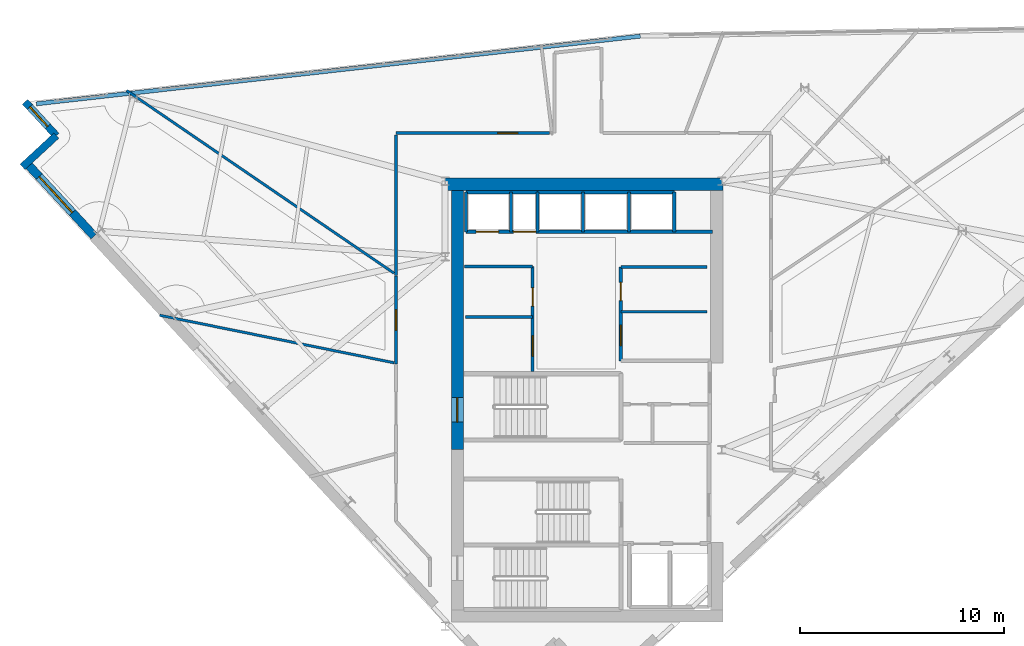
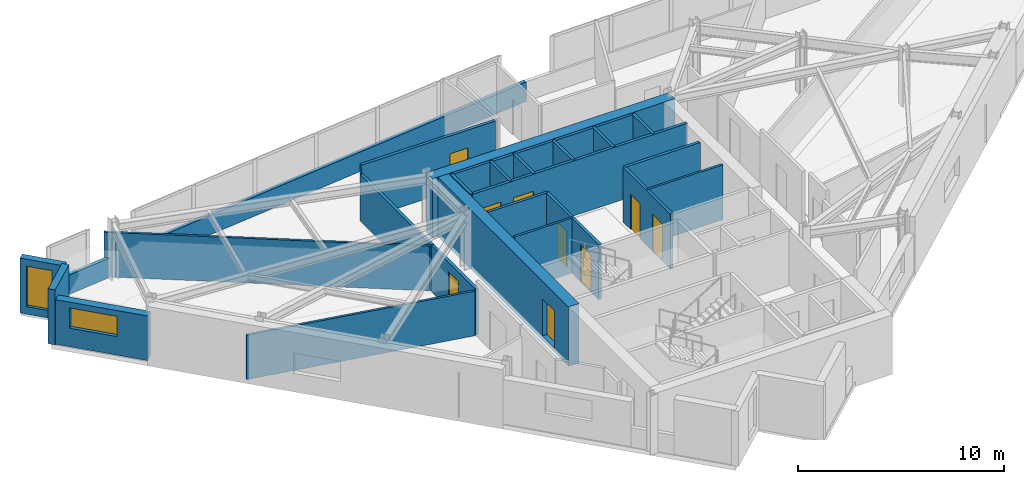
# One storey, part 10 of 14: 26 walls, 9 doors, 2 windows, 11 openings.
"""IFC4 building model written with IfcOpenShell, lengths in metres."""

from ifc_helpers import new_model, si_unit, direction, frame, frame_2d, origin, place, context, subcontext, project, spatial, rectangle, extrude, material, layer, layer_set, type_object, element, fill, save


model = new_model("IFC4")

# Units and contexts
model_context = context("Model", 3, precision=1e-05, world=origin(), true_north=direction((0.0, 1.0)))
body_context = subcontext(model_context, "Body", "Model", "MODEL_VIEW")
ifc_project = project(units=[si_unit("LENGTHUNIT", "METRE"), si_unit("AREAUNIT", "SQUARE_METRE"), si_unit("VOLUMEUNIT", "CUBIC_METRE"), si_unit("PLANEANGLEUNIT", "RADIAN"), si_unit("MASSUNIT", "GRAM", prefix="KILO")], contexts=[model_context])

# Site, building, storey
site_placement = place(None, origin())
site = spatial("IfcSite", under=ifc_project, at=site_placement, CompositionType="ELEMENT")
building_placement = place(site_placement, origin())
building = spatial("IfcBuilding", under=site, at=building_placement, Name="Narakoshi Arena Tower", CompositionType="ELEMENT")
storey_placement = place(building_placement, frame((0.0, 0.0, 288.89990234375)))
storey = spatial("IfcBuildingStorey", under=building, at=storey_placement, Name="L79", CompositionType="ELEMENT", Elevation=288.89990234375)

# Wall, opening, door
ifc_material_1 = material(Name="Concrete C50/60", Category="concrete")
ifc_layer_1 = layer(ifc_material_1, 0.60009765625)
ifc_layer_set_1 = layer_set([ifc_layer_1], Name="Concrete C50/60")
wall_type_1 = type_object("IfcWallType", Name="WL-CORE-600", PredefinedType="SHEAR", material=ifc_layer_set_1)
wall_1_placement = place(storey_placement, frame((72.60009765625, 43.35009765625, -0.260009765625), z_axis=(0.0, 0.0, 1.0), x_axis=(0.0, 1.0, 0.0)))
wall_1 = element("IfcWall", 1, at=wall_1_placement, inside=storey, type_object=wall_type_1, Name="L79 Main Core Shear Wall CW-MN-W", PredefinedType="SHEAR", context=body_context, shape_type="SweptSolid", body=[
    extrude(rectangle(XDim=12.699951171875, YDim=0.60009765625, at=frame_2d((6.35009765625, 0.0))), origin(), (0.0, 0.0, 1.0), 3.52001953125),
])
opening_1_placement = place(wall_1_placement, frame((1.35009765625, 0.0, 0.260009765625)))
opening_1 = element("IfcOpeningElement", 2, at=opening_1_placement, cuts=wall_1, Name="Opening D-03", PredefinedType="OPENING", context=body_context, shape_type="SweptSolid", body=[
    extrude(rectangle(XDim=1.199951171875, YDim=2.199951171875, at=frame_2d((0.60009765625, 1.10009765625))), frame((0.0, 0.31005859375, 0.0), z_axis=(0.0, -1.0, 0.0), x_axis=(1.0, 0.0, 0.0)), (0.0, 0.0, 1.0), 0.6201171875),
])
ifc_material_2 = material(Name="Painted galvanized steel", Category="steel")
door_type_1 = type_object("IfcDoorType", Name="DR-STR-1200", OperationType="NOTDEFINED", PredefinedType="USERDEFINED", material=ifc_material_2)
door_1_placement = place(opening_1_placement, frame((1.199951171875, 0.0, 0.0), z_axis=(0.0, 0.0, 1.0), x_axis=(-1.0, 0.0, 0.0)))
door_1 = element("IfcDoor", 3, at=door_1_placement, inside=storey, type_object=door_type_1, Name="DR-L79-006", ObjectType="EXITDOOR", OperationType="SINGLE_SWING_LEFT", OverallHeight=2.199951171875, OverallWidth=1.199951171875, PredefinedType="USERDEFINED", context=body_context, shape_type="SweptSolid", body=[
    extrude(rectangle(XDim=1.199951171875, YDim=2.199951171875, at=frame_2d((0.60009765625, 1.10009765625))), frame((0.0, 0.02490234375, 0.0), z_axis=(0.0, -1.0, 0.0), x_axis=(1.0, 0.0, 0.0)), (0.0, 0.0, 1.0), 0.050048828125),
])
fill(opening_1, door_1)

# Wall
wall_2_placement = place(storey_placement, frame((72.0, 56.35009765625, -0.260009765625), z_axis=(0.0, 0.0, 1.0), x_axis=(1.0, 0.0, 0.0)))
element("IfcWall", 4, at=wall_2_placement, inside=storey, type_object=wall_type_1, Name="L79 Main Core Shear Wall CW-MN-N", PredefinedType="SHEAR", context=body_context, shape_type="SweptSolid", body=[
    extrude(rectangle(XDim=13.60009765625, YDim=0.60009765625, at=frame_2d((6.800048828125, 0.0))), origin(), (0.0, 0.0, 1.0), 3.52001953125),
])

# Wall, opening, door
ifc_material_3 = material(Name="Gypsum plasterboard fire-rated partition")
ifc_layer_2 = layer(ifc_material_3, 0.1650390625)
ifc_layer_set_2 = layer_set([ifc_layer_2], Name="Gypsum plasterboard fire-rated partition")
wall_type_2 = type_object("IfcWallType", Name="WL-CORR-165", PredefinedType="PARTITIONING", material=ifc_layer_set_2)
wall_3_placement = place(storey_placement, frame((77.11083984375, 58.8583984375, 0.0), z_axis=(0.0, 0.0, 1.0), x_axis=(-1.0, 0.0, 0.0)))
wall_3 = element("IfcWall", 5, at=wall_3_placement, inside=storey, type_object=wall_type_2, Name="L79 Corridor Partition 07-1", PredefinedType="PARTITIONING", context=body_context, shape_type="SweptSolid", body=[
    extrude(rectangle(XDim=7.519287109375, YDim=0.1650390625, at=frame_2d((3.759765625, 0.0))), origin(), (0.0, 0.0, 1.0), 3.260009765625),
])
opening_2_placement = place(wall_3_placement, frame((1.546142578125, 0.0, 0.0)))
opening_2 = element("IfcOpeningElement", 6, at=opening_2_placement, cuts=wall_3, Name="Opening D-06", PredefinedType="OPENING", context=body_context, shape_type="SweptSolid", body=[
    extrude(rectangle(XDim=1.0, YDim=2.199951171875, at=frame_2d((0.5, 1.10009765625))), frame((0.0, 0.092529296875, 0.0), z_axis=(0.0, -1.0, 0.0), x_axis=(1.0, 0.0, 0.0)), (0.0, 0.0, 1.0), 0.18505859375),
])
ifc_material_4 = material(Name="Stained oak solid-core timber", Category="wood")
door_type_2 = type_object("IfcDoorType", Name="DR-OFF-1000", OperationType="NOTDEFINED", PredefinedType="DOOR", material=ifc_material_4)
door_2_placement = place(opening_2_placement, frame((1.0, 0.0, 0.0), z_axis=(0.0, 0.0, 1.0), x_axis=(-1.0, 0.0, 0.0)))
door_2 = element("IfcDoor", 7, at=door_2_placement, inside=storey, type_object=door_type_2, Name="DR-L79-022", OperationType="SINGLE_SWING_LEFT", OverallHeight=2.199951171875, OverallWidth=1.0, PredefinedType="DOOR", context=body_context, shape_type="SweptSolid", body=[
    extrude(rectangle(XDim=1.0, YDim=2.199951171875, at=frame_2d((0.5, 1.10009765625))), frame((0.0, 0.02490234375, 0.0), z_axis=(0.0, -1.0, 0.0), x_axis=(1.0, 0.0, 0.0)), (0.0, 0.0, 1.0), 0.050048828125),
])
fill(opening_2, door_2)

# Wall
wall_4_placement = place(storey_placement, frame((69.591552734375, 58.763916015625, 0.0), z_axis=(0.0, 0.0, 1.0), x_axis=(0.0, -1.0, 0.0)))
element("IfcWall", 8, at=wall_4_placement, inside=storey, type_object=wall_type_2, Name="L79 Corridor Partition 07-2", PredefinedType="PARTITIONING", context=body_context, shape_type="SweptSolid", body=[
    extrude(rectangle(XDim=6.879638671875, YDim=0.1650390625, at=frame_2d((3.43994140625, 0.0))), origin(), (0.0, 0.0, 1.0), 2.7451171875),
])

# Wall, opening, door
wall_5_placement = place(storey_placement, frame((69.591552734375, 51.855224609375, 0.0), z_axis=(0.0, 0.0, 1.0), x_axis=(0.0, -1.0, 0.0)))
wall_5 = element("IfcWall", 9, at=wall_5_placement, inside=storey, type_object=wall_type_2, Name="L79 Corridor Partition 08-1", PredefinedType="PARTITIONING", context=body_context, shape_type="SweptSolid", body=[
    extrude(rectangle(XDim=4.30419921875, YDim=0.1650390625, at=frame_2d((2.152099609375, 0.0))), origin(), (0.0, 0.0, 1.0), 2.7451171875),
])
opening_3_placement = place(wall_5_placement, frame((1.652099609375, 0.0, 0.0)))
opening_3 = element("IfcOpeningElement", 10, at=opening_3_placement, cuts=wall_5, Name="Opening D-06", PredefinedType="OPENING", context=body_context, shape_type="SweptSolid", body=[
    extrude(rectangle(XDim=1.0, YDim=2.199951171875, at=frame_2d((0.5, 1.10009765625))), frame((0.0, 0.092529296875, 0.0), z_axis=(0.0, -1.0, 0.0), x_axis=(1.0, 0.0, 0.0)), (0.0, 0.0, 1.0), 0.18505859375),
])
door_3_placement = place(opening_3_placement, frame((1.0, 0.0, 0.0), z_axis=(0.0, 0.0, 1.0), x_axis=(-1.0, 0.0, 0.0)))
door_3 = element("IfcDoor", 11, at=door_3_placement, inside=storey, type_object=door_type_2, Name="DR-L79-023", OperationType="SINGLE_SWING_RIGHT", OverallHeight=2.199951171875, OverallWidth=1.0, PredefinedType="DOOR", context=body_context, shape_type="SweptSolid", body=[
    extrude(rectangle(XDim=1.0, YDim=2.199951171875, at=frame_2d((0.5, 1.10009765625))), frame((0.0, 0.02490234375, 0.0), z_axis=(0.0, -1.0, 0.0), x_axis=(1.0, 0.0, 0.0)), (0.0, 0.0, 1.0), 0.050048828125),
])
fill(opening_3, door_3)

# Walls
ifc_material_5 = material(Name="Precast concrete C45/55", Category="concrete")
ifc_layer_3 = layer(ifc_material_5, 0.25)
ifc_layer_set_3 = layer_set([ifc_layer_3], Name="Precast concrete C45/55")
wall_type_3 = type_object("IfcWallType", Name="WL-PARA-250", PredefinedType="PARAPET", material=ifc_layer_set_3)
wall_6_placement = place(storey_placement, frame((81.556640625, 63.603759765625, 0.0), z_axis=(0.0, 0.0, 1.0), x_axis=(-0.993775831398, -0.111398370403, 0.0)))
element("IfcWall", 12, at=wall_6_placement, inside=storey, type_object=wall_type_3, Name="L79 Hypotenuse Sill Upstand Parapet 2-01", PredefinedType="PARAPET", context=body_context, shape_type="SweptSolid", body=[
    extrude(rectangle(XDim=29.76416015625, YDim=0.199951171875, at=frame_2d((14.882080078125, 0.0))), origin(), (0.0, 0.0, 1.0), 1.150146484375),
])
ifc_layer_4 = layer(ifc_material_3, 0.125)
ifc_layer_set_4 = layer_set([ifc_layer_4], Name="Gypsum plasterboard fire-rated partition")
wall_type_4 = type_object("IfcWallType", Name="WL-PART-125", PredefinedType="PARTITIONING", material=ifc_layer_set_4)
wall_7_placement = place(storey_placement, frame((73.0, 49.85009765625, 0.0), z_axis=(0.0, 0.0, 1.0), x_axis=(1.0, 0.0, 0.0)))
element("IfcWall", 13, at=wall_7_placement, inside=storey, type_object=wall_type_4, Name="L79 Core Wall RCL-LR-D0", PredefinedType="PARTITIONING", context=body_context, shape_type="SweptSolid", body=[
    extrude(rectangle(XDim=3.280029296875, YDim=0.125, at=frame_2d((1.64013671875, 0.0))), origin(), (0.0, 0.0, 1.0), 3.260009765625),
])
wall_8_placement = place(storey_placement, frame((80.60009765625, 50.10009765625, 0.0), z_axis=(0.0, 0.0, 1.0), x_axis=(1.0, 0.0, 0.0)))
element("IfcWall", 14, at=wall_8_placement, inside=storey, type_object=wall_type_4, Name="L79 Core Wall RCL-MR-D", PredefinedType="PARTITIONING", context=body_context, shape_type="SweptSolid", body=[
    extrude(rectangle(XDim=4.219970703125, YDim=0.125, at=frame_2d((2.10986328125, 0.0))), origin(), (0.0, 0.0, 1.0), 3.260009765625),
])
wall_9_placement = place(storey_placement, frame((69.4970703125, 51.992431640625, 0.0), z_axis=(0.0, 0.0, 1.0), x_axis=(-0.825720238729, 0.564079859021, 0.0)))
element("IfcWall", 15, at=wall_9_placement, inside=storey, type_object=wall_type_4, Name="L79 Inter-Room Partition 07-08", PredefinedType="PARTITIONING", context=body_context, shape_type="SweptSolid", body=[
    extrude(rectangle(XDim=15.869384765625, YDim=0.125, at=frame_2d((7.9345703125, 0.0))), origin(), (0.0, 0.0, 1.0), 2.64501953125),
])
wall_10_placement = place(storey_placement, frame((69.4970703125, 47.60693359375, 0.0), z_axis=(0.0, 0.0, 1.0), x_axis=(-0.980091879714, 0.19854447189, 0.0)))
element("IfcWall", 16, at=wall_10_placement, inside=storey, type_object=wall_type_4, Name="L79 Inter-Room Partition 08-09", PredefinedType="PARTITIONING", context=body_context, shape_type="SweptSolid", body=[
    extrude(rectangle(XDim=11.713623046875, YDim=0.125, at=frame_2d((5.85693359375, 0.0))), origin(), (0.0, 0.0, 1.0), 2.64501953125),
])

# Wall, opening, window
ifc_layer_5 = layer(ifc_material_5, 0.419921875)
ifc_layer_set_5 = layer_set([ifc_layer_5], Name="Precast concrete C45/55")
wall_type_5 = type_object("IfcWallType", Name="WL-POD-420", PredefinedType="SOLIDWALL", material=ifc_layer_set_5)
wall_11_placement = place(storey_placement, frame((51.5, 57.38720703125, 0.0), z_axis=(0.0, 0.0, 1.0), x_axis=(0.67880684669, -0.734316869537, 0.0)))
wall_11 = element("IfcWall", 17, at=wall_11_placement, inside=storey, type_object=wall_type_5, Name="L79 Architectural Concrete Facade Wall LEGB-1", PredefinedType="SOLIDWALL", context=body_context, shape_type="SweptSolid", body=[
    extrude(rectangle(XDim=4.86865234375, YDim=0.419921875, at=frame_2d((2.434326171875, 0.0))), origin(), (0.0, 0.0, 1.0), 2.64501953125),
])
opening_4_placement = place(wall_11_placement, frame((0.89990234375, 0.0, 1.10009765625)))
opening_4 = element("IfcOpeningElement", 18, at=opening_4_placement, cuts=wall_11, Name="Opening WN-04", PredefinedType="OPENING", context=body_context, shape_type="SweptSolid", body=[
    extrude(rectangle(XDim=2.39990234375, YDim=1.199951171875, at=frame_2d((1.199951171875, 0.60009765625))), frame((0.0, 0.219970703125, 0.0), z_axis=(0.0, -1.0, 0.0), x_axis=(1.0, 0.0, 0.0)), (0.0, 0.0, 1.0), 0.43994140625),
])
ifc_material_6 = material(Name="Bronze-tinted low-E laminated glass", Category="glass")
window_type_1 = type_object("IfcWindowType", Name="WIN-SLT-24x12", PartitioningType="SINGLE_PANEL", PredefinedType="WINDOW", material=ifc_material_6)
window_1_placement = place(opening_4_placement, origin())
window_1 = element("IfcWindow", 19, at=window_1_placement, inside=storey, type_object=window_type_1, Name="L79 LEGB1 Horizontal Slot Window 1", OverallHeight=1.199951171875, OverallWidth=2.39990234375, PartitioningType="SINGLE_PANEL", PredefinedType="WINDOW", context=body_context, shape_type="SweptSolid", body=[
    extrude(rectangle(XDim=2.39990234375, YDim=1.199951171875, at=frame_2d((1.199951171875, 0.60009765625))), frame((0.0, 0.030029296875, 0.0), z_axis=(0.0, -1.0, 0.0), x_axis=(1.0, 0.0, 0.0)), (0.0, 0.0, 1.0), 0.06005859375),
])
fill(opening_4, window_1)

wall_12_placement = place(storey_placement, frame((51.42333984375, 60.38720703125, 0.0), z_axis=(0.0, 0.0, 1.0), x_axis=(0.678792531533, -0.734330102294, 0.0)))
wall_12 = element("IfcWall", 20, at=wall_12_placement, inside=storey, type_object=wall_type_5, Name="L79 Re-Entrant Corner Notch Wall NTN-1", PredefinedType="SOLIDWALL", context=body_context, shape_type="SweptSolid", body=[
    extrude(rectangle(XDim=2.255126953125, YDim=0.360107421875, at=frame_2d((1.12744140625, 0.0))), origin(), (0.0, 0.0, 1.0), 3.260009765625),
])
opening_5_placement = place(wall_12_placement, frame((0.340087890625, 0.0, 0.449951171875)))
opening_5 = element("IfcOpeningElement", 21, at=opening_5_placement, cuts=wall_12, Name="Opening WN-06", PredefinedType="OPENING", context=body_context, shape_type="SweptSolid", body=[
    extrude(rectangle(XDim=1.300048828125, YDim=2.39990234375, at=frame_2d((0.64990234375, 1.199951171875))), frame((0.0, 0.18994140625, 0.0), z_axis=(0.0, -1.0, 0.0), x_axis=(1.0, 0.0, 0.0)), (0.0, 0.0, 1.0), 0.380126953125),
])
window_type_2 = type_object("IfcWindowType", Name="WIN-NTC-16x24", PartitioningType="SINGLE_PANEL", PredefinedType="WINDOW", material=ifc_material_6)
window_2_placement = place(opening_5_placement, origin())
window_2 = element("IfcWindow", 22, at=window_2_placement, inside=storey, type_object=window_type_2, Name="L79 Corner Notch Window NTN", OverallHeight=2.39990234375, OverallWidth=1.300048828125, PartitioningType="SINGLE_PANEL", PredefinedType="WINDOW", context=body_context, shape_type="SweptSolid", body=[
    extrude(rectangle(XDim=1.300048828125, YDim=2.39990234375, at=frame_2d((0.64990234375, 1.199951171875))), frame((0.0, 0.030029296875, 0.0), z_axis=(0.0, -1.0, 0.0), x_axis=(1.0, 0.0, 0.0)), (0.0, 0.0, 1.0), 0.06005859375),
])
fill(opening_5, window_2)

# Walls
wall_13_placement = place(storey_placement, frame((52.9541015625, 58.731201171875, 0.0), z_axis=(0.0, 0.0, 1.0), x_axis=(-0.734330102294, -0.678792531533, 0.0)))
element("IfcWall", 23, at=wall_13_placement, inside=storey, type_object=wall_type_5, Name="L79 Re-Entrant Corner Notch Wall NTN-2", PredefinedType="SOLIDWALL", context=body_context, shape_type="SweptSolid", body=[
    extrude(rectangle(XDim=2.255126953125, YDim=0.360107421875, at=frame_2d((1.12744140625, 0.0))), origin(), (0.0, 0.0, 1.0), 3.260009765625),
])
ifc_material_7 = material(Name="Concrete C40/50", Category="concrete")
ifc_layer_6 = layer(ifc_material_7, 0.280029296875)
ifc_layer_set_6 = layer_set([ifc_layer_6], Name="Concrete C40/50")
wall_type_6 = type_object("IfcWallType", Name="WL-RISER-280", PredefinedType="PLUMBINGWALL", material=ifc_layer_set_6)
for number, where, z_axis, x_axis, name in (
    (24, (73.02001953125, 54.02001953125, 0.0), (0.0, 0.0, 1.0), (0.0, 1.0, 0.0), "L79 Core Wall OBS-W"),
    (25, (75.219970703125, 54.02001953125, 0.0), (0.0, 0.0, 1.0), (0.0, 1.0, 0.0), "L79 Core Wall OBS-M"),
):
    element("IfcWall", number, at=place(storey_placement, frame(where, z_axis=z_axis, x_axis=x_axis)), inside=storey, type_object=wall_type_6, Name=name, PredefinedType="PLUMBINGWALL", context=body_context, shape_type="SweptSolid", body=[
        extrude(rectangle(XDim=1.93994140625, YDim=0.14990234375, at=frame_2d((0.969970703125, 0.0))), origin(), (0.0, 0.0, 1.0), 3.260009765625),
    ])
for number, where, z_axis, x_axis, name in (
    (26, (78.75, 54.02001953125, 0.0), (0.0, 0.0, 1.0), (0.0, 1.0, 0.0), "L79 Core Wall HR-D1"),
    (27, (81.0, 54.02001953125, 0.0), (0.0, 0.0, 1.0), (0.0, 1.0, 0.0), "L79 Core Wall HR-D2"),
):
    element("IfcWall", number, at=place(storey_placement, frame(where, z_axis=z_axis, x_axis=x_axis)), inside=storey, type_object=wall_type_6, Name=name, PredefinedType="PLUMBINGWALL", context=body_context, shape_type="SweptSolid", body=[
        extrude(rectangle(XDim=1.9599609375, YDim=0.14990234375, at=frame_2d((0.97998046875, 0.0))), origin(), (0.0, 0.0, 1.0), 3.260009765625),
    ])

# Wall, openings, doors
ifc_layer_7 = layer(ifc_material_1, 0.35009765625)
ifc_layer_set_7 = layer_set([ifc_layer_7], Name="Concrete C50/60")
wall_type_7 = type_object("IfcWallType", Name="WL-SHAFT-350", PredefinedType="SOLIDWALL", material=ifc_layer_set_7)
wall_14_placement = place(storey_placement, frame((76.280029296875, 47.179931640625, 0.0), z_axis=(0.0, 0.0, 1.0), x_axis=(0.0, 1.0, 0.0)))
wall_14 = element("IfcWall", 28, at=wall_14_placement, inside=storey, type_object=wall_type_7, Name="L79 Core Wall LR-E", PredefinedType="SOLIDWALL", context=body_context, shape_type="SweptSolid", body=[
    extrude(rectangle(XDim=5.14013671875, YDim=0.159912109375, at=frame_2d((2.570068359375, 0.0))), origin(), (0.0, 0.0, 1.0), 3.260009765625),
])
opening_6_placement = place(wall_14_placement, frame((0.75, 0.0, 0.0)))
opening_6 = element("IfcOpeningElement", 29, at=opening_6_placement, cuts=wall_14, Name="Opening D-06", PredefinedType="OPENING", context=body_context, shape_type="SweptSolid", body=[
    extrude(rectangle(XDim=1.0, YDim=2.199951171875, at=frame_2d((0.5, 1.10009765625))), frame((0.0, 0.08984375, 0.0), z_axis=(0.0, -1.0, 0.0), x_axis=(1.0, 0.0, 0.0)), (0.0, 0.0, 1.0), 0.179931640625),
])
opening_7_placement = place(wall_14_placement, frame((3.199951171875, 0.0, 0.0)))
opening_7 = element("IfcOpeningElement", 30, at=opening_7_placement, cuts=wall_14, Name="Opening D-08", PredefinedType="OPENING", context=body_context, shape_type="SweptSolid", body=[
    extrude(rectangle(XDim=0.89990234375, YDim=2.10009765625, at=frame_2d((0.449951171875, 1.050048828125))), frame((0.0, 0.08984375, 0.0), z_axis=(0.0, -1.0, 0.0), x_axis=(1.0, 0.0, 0.0)), (0.0, 0.0, 1.0), 0.179931640625),
])
door_4_placement = place(opening_6_placement, frame((1.0, 0.0, 0.0), z_axis=(0.0, 0.0, 1.0), x_axis=(-1.0, 0.0, 0.0)))
door_4 = element("IfcDoor", 31, at=door_4_placement, inside=storey, type_object=door_type_2, Name="DR-L79-010", OperationType="SINGLE_SWING_LEFT", OverallHeight=2.199951171875, OverallWidth=1.0, PredefinedType="DOOR", context=body_context, shape_type="SweptSolid", body=[
    extrude(rectangle(XDim=1.0, YDim=2.199951171875, at=frame_2d((0.5, 1.10009765625))), frame((0.0, 0.02490234375, 0.0), z_axis=(0.0, -1.0, 0.0), x_axis=(1.0, 0.0, 0.0)), (0.0, 0.0, 1.0), 0.050048828125),
])
fill(opening_6, door_4)
ifc_material_8 = material(Name="Moisture-resistant laminate timber", Category="wood")
door_type_3 = type_object("IfcDoorType", Name="DR-WC-900", OperationType="NOTDEFINED", PredefinedType="DOOR", material=ifc_material_8)
door_5_placement = place(opening_7_placement, frame((0.89990234375, 0.0, 0.0), z_axis=(0.0, 0.0, 1.0), x_axis=(-1.0, 0.0, 0.0)))
door_5 = element("IfcDoor", 32, at=door_5_placement, inside=storey, type_object=door_type_3, Name="DR-L79-011", OperationType="SINGLE_SWING_RIGHT", OverallHeight=2.10009765625, OverallWidth=0.89990234375, PredefinedType="DOOR", context=body_context, shape_type="SweptSolid", body=[
    extrude(rectangle(XDim=0.89990234375, YDim=2.10009765625, at=frame_2d((0.449951171875, 1.050048828125))), frame((0.0, 0.02490234375, 0.0), z_axis=(0.0, -1.0, 0.0), x_axis=(1.0, 0.0, 0.0)), (0.0, 0.0, 1.0), 0.050048828125),
])
fill(opening_7, door_5)

# Wall
wall_15_placement = place(storey_placement, frame((72.949951171875, 52.320068359375, 0.0), z_axis=(0.0, 0.0, 1.0), x_axis=(1.0, 0.0, 0.0)))
element("IfcWall", 33, at=wall_15_placement, inside=storey, type_object=wall_type_7, Name="L79 Core Wall LR-N", PredefinedType="SOLIDWALL", context=body_context, shape_type="SweptSolid", body=[
    extrude(rectangle(XDim=3.330078125, YDim=0.14990234375, at=frame_2d((1.6650390625, 0.0))), origin(), (0.0, 0.0, 1.0), 3.260009765625),
])

# Wall, openings, doors
wall_16_placement = place(storey_placement, frame((80.60009765625, 47.699951171875, 0.0), z_axis=(0.0, 0.0, 1.0), x_axis=(0.0, 1.0, 0.0)))
wall_16 = element("IfcWall", 34, at=wall_16_placement, inside=storey, type_object=wall_type_7, Name="L79 Core Wall MR-W", PredefinedType="SOLIDWALL", context=body_context, shape_type="SweptSolid", body=[
    extrude(rectangle(XDim=4.60009765625, YDim=0.159912109375, at=frame_2d((2.300048828125, 0.0))), origin(), (0.0, 0.0, 1.0), 3.260009765625),
])
opening_8_placement = place(wall_16_placement, frame((0.75, 0.0, 0.0)))
opening_8 = element("IfcOpeningElement", 35, at=opening_8_placement, cuts=wall_16, Name="Opening D-06", PredefinedType="OPENING", context=body_context, shape_type="SweptSolid", body=[
    extrude(rectangle(XDim=1.0, YDim=2.199951171875, at=frame_2d((0.5, 1.10009765625))), frame((0.0, 0.08984375, 0.0), z_axis=(0.0, -1.0, 0.0), x_axis=(1.0, 0.0, 0.0)), (0.0, 0.0, 1.0), 0.179931640625),
])
opening_9_placement = place(wall_16_placement, frame((2.949951171875, 0.0, 0.0)))
opening_9 = element("IfcOpeningElement", 36, at=opening_9_placement, cuts=wall_16, Name="Opening D-08", PredefinedType="OPENING", context=body_context, shape_type="SweptSolid", body=[
    extrude(rectangle(XDim=0.89990234375, YDim=2.10009765625, at=frame_2d((0.449951171875, 1.050048828125))), frame((0.0, 0.08984375, 0.0), z_axis=(0.0, -1.0, 0.0), x_axis=(1.0, 0.0, 0.0)), (0.0, 0.0, 1.0), 0.179931640625),
])
door_6_placement = place(opening_8_placement, origin())
door_6 = element("IfcDoor", 37, at=door_6_placement, inside=storey, type_object=door_type_2, Name="DR-L79-012", OperationType="SINGLE_SWING_RIGHT", OverallHeight=2.199951171875, OverallWidth=1.0, PredefinedType="DOOR", context=body_context, shape_type="SweptSolid", body=[
    extrude(rectangle(XDim=1.0, YDim=2.199951171875, at=frame_2d((0.5, 1.10009765625))), frame((0.0, 0.02490234375, 0.0), z_axis=(0.0, -1.0, 0.0), x_axis=(1.0, 0.0, 0.0)), (0.0, 0.0, 1.0), 0.050048828125),
])
fill(opening_8, door_6)
door_7_placement = place(opening_9_placement, origin())
door_7 = element("IfcDoor", 38, at=door_7_placement, inside=storey, type_object=door_type_3, Name="DR-L79-013", OperationType="SINGLE_SWING_LEFT", OverallHeight=2.10009765625, OverallWidth=0.89990234375, PredefinedType="DOOR", context=body_context, shape_type="SweptSolid", body=[
    extrude(rectangle(XDim=0.89990234375, YDim=2.10009765625, at=frame_2d((0.449951171875, 1.050048828125))), frame((0.0, 0.02490234375, 0.0), z_axis=(0.0, -1.0, 0.0), x_axis=(1.0, 0.0, 0.0)), (0.0, 0.0, 1.0), 0.050048828125),
])
fill(opening_9, door_7)

# Wall
wall_17_placement = place(storey_placement, frame((80.60009765625, 52.300048828125, 0.0), z_axis=(0.0, 0.0, 1.0), x_axis=(1.0, 0.0, 0.0)))
element("IfcWall", 39, at=wall_17_placement, inside=storey, type_object=wall_type_7, Name="L79 Core Wall MR-N", PredefinedType="SOLIDWALL", context=body_context, shape_type="SweptSolid", body=[
    extrude(rectangle(XDim=4.219970703125, YDim=0.159912109375, at=frame_2d((2.10986328125, 0.0))), origin(), (0.0, 0.0, 1.0), 3.260009765625),
])

# Wall, openings, doors
wall_18_placement = place(storey_placement, frame((73.02001953125, 54.02001953125, 0.0), z_axis=(0.0, 0.0, 1.0), x_axis=(1.0, 0.0, 0.0)))
wall_18 = element("IfcWall", 40, at=wall_18_placement, inside=storey, type_object=wall_type_7, Name="L79 Core Wall NSHF-S", PredefinedType="SOLIDWALL", context=body_context, shape_type="SweptSolid", body=[
    extrude(rectangle(XDim=12.080078125, YDim=0.159912109375, at=frame_2d((6.0400390625, 0.0))), origin(), (0.0, 0.0, 1.0), 3.260009765625),
])
opening_10_placement = place(wall_18_placement, frame((0.5, 0.0, 0.0)))
opening_10 = element("IfcOpeningElement", 41, at=opening_10_placement, cuts=wall_18, Name="Opening LD-01", PredefinedType="OPENING", context=body_context, shape_type="SweptSolid", body=[
    extrude(rectangle(XDim=1.10009765625, YDim=2.25, at=frame_2d((0.550048828125, 1.125))), frame((0.0, 0.08984375, 0.0), z_axis=(0.0, -1.0, 0.0), x_axis=(1.0, 0.0, 0.0)), (0.0, 0.0, 1.0), 0.179931640625),
])
opening_11_placement = place(wall_18_placement, frame((2.320068359375, 0.0, 0.0)))
opening_11 = element("IfcOpeningElement", 42, at=opening_11_placement, cuts=wall_18, Name="Opening LD-01", PredefinedType="OPENING", context=body_context, shape_type="SweptSolid", body=[
    extrude(rectangle(XDim=1.10009765625, YDim=2.25, at=frame_2d((0.550048828125, 1.125))), frame((0.0, 0.08984375, 0.0), z_axis=(0.0, -1.0, 0.0), x_axis=(1.0, 0.0, 0.0)), (0.0, 0.0, 1.0), 0.179931640625),
])
ifc_material_9 = material(Name="Brushed bronze stainless steel", Category="steel")
door_type_4 = type_object("IfcDoorType", Name="DR-LFT-1100", OperationType="DOUBLE_DOOR_SLIDING", PredefinedType="DOOR", material=ifc_material_9)
door_8_placement = place(opening_10_placement, origin())
door_8 = element("IfcDoor", 43, at=door_8_placement, inside=storey, type_object=door_type_4, Name="DR-L79-014", OperationType="DOUBLE_DOOR_SLIDING", OverallHeight=2.25, OverallWidth=1.10009765625, PredefinedType="DOOR", context=body_context, shape_type="SweptSolid", body=[
    extrude(rectangle(XDim=1.10009765625, YDim=2.25, at=frame_2d((0.550048828125, 1.125))), frame((0.0, 0.02490234375, 0.0), z_axis=(0.0, -1.0, 0.0), x_axis=(1.0, 0.0, 0.0)), (0.0, 0.0, 1.0), 0.050048828125),
])
fill(opening_10, door_8)
door_9_placement = place(opening_11_placement, origin())
door_9 = element("IfcDoor", 44, at=door_9_placement, inside=storey, type_object=door_type_4, Name="DR-L79-015", OperationType="DOUBLE_DOOR_SLIDING", OverallHeight=2.25, OverallWidth=1.10009765625, PredefinedType="DOOR", context=body_context, shape_type="SweptSolid", body=[
    extrude(rectangle(XDim=1.10009765625, YDim=2.25, at=frame_2d((0.550048828125, 1.125))), frame((0.0, 0.02490234375, 0.0), z_axis=(0.0, -1.0, 0.0), x_axis=(1.0, 0.0, 0.0)), (0.0, 0.0, 1.0), 0.050048828125),
])
fill(opening_11, door_9)

# Walls
wall_19_placement = place(storey_placement, frame((73.02001953125, 55.9599609375, 0.0), z_axis=(0.0, 0.0, 1.0), x_axis=(1.0, 0.0, 0.0)))
element("IfcWall", 45, at=wall_19_placement, inside=storey, type_object=wall_type_7, Name="L79 Core Wall OBS-N", PredefinedType="SOLIDWALL", context=body_context, shape_type="SweptSolid", body=[
    extrude(rectangle(XDim=3.5, YDim=0.14990234375, at=frame_2d((1.75, 0.0))), origin(), (0.0, 0.0, 1.0), 3.260009765625),
])
wall_20_placement = place(storey_placement, frame((76.52001953125, 54.02001953125, 0.0), z_axis=(0.0, 0.0, 1.0), x_axis=(0.0, 1.0, 0.0)))
element("IfcWall", 46, at=wall_20_placement, inside=storey, type_object=wall_type_7, Name="L79 Core Wall OBS-E", PredefinedType="SOLIDWALL", context=body_context, shape_type="SweptSolid", body=[
    extrude(rectangle(XDim=1.93994140625, YDim=0.14990234375, at=frame_2d((0.969970703125, 0.0))), origin(), (0.0, 0.0, 1.0), 3.260009765625),
])
wall_21_placement = place(storey_placement, frame((83.219970703125, 54.02001953125, 0.0), z_axis=(0.0, 0.0, 1.0), x_axis=(0.0, 1.0, 0.0)))
element("IfcWall", 47, at=wall_21_placement, inside=storey, type_object=wall_type_7, Name="L79 Core Wall HR-E", PredefinedType="SOLIDWALL", context=body_context, shape_type="SweptSolid", body=[
    extrude(rectangle(XDim=1.9599609375, YDim=0.14990234375, at=frame_2d((0.97998046875, 0.0))), origin(), (0.0, 0.0, 1.0), 3.260009765625),
])
wall_22_placement = place(storey_placement, frame((76.52001953125, 55.9599609375, 0.0), z_axis=(0.0, 0.0, 1.0), x_axis=(1.0, 0.0, 0.0)))
element("IfcWall", 48, at=wall_22_placement, inside=storey, type_object=wall_type_7, Name="L79 Core Wall HR-N", PredefinedType="SOLIDWALL", context=body_context, shape_type="SweptSolid", body=[
    extrude(rectangle(XDim=6.699951171875, YDim=0.14990234375, at=frame_2d((3.35009765625, 0.0))), origin(), (0.0, 0.0, 1.0), 3.260009765625),
])

save(model, "model.ifc")
